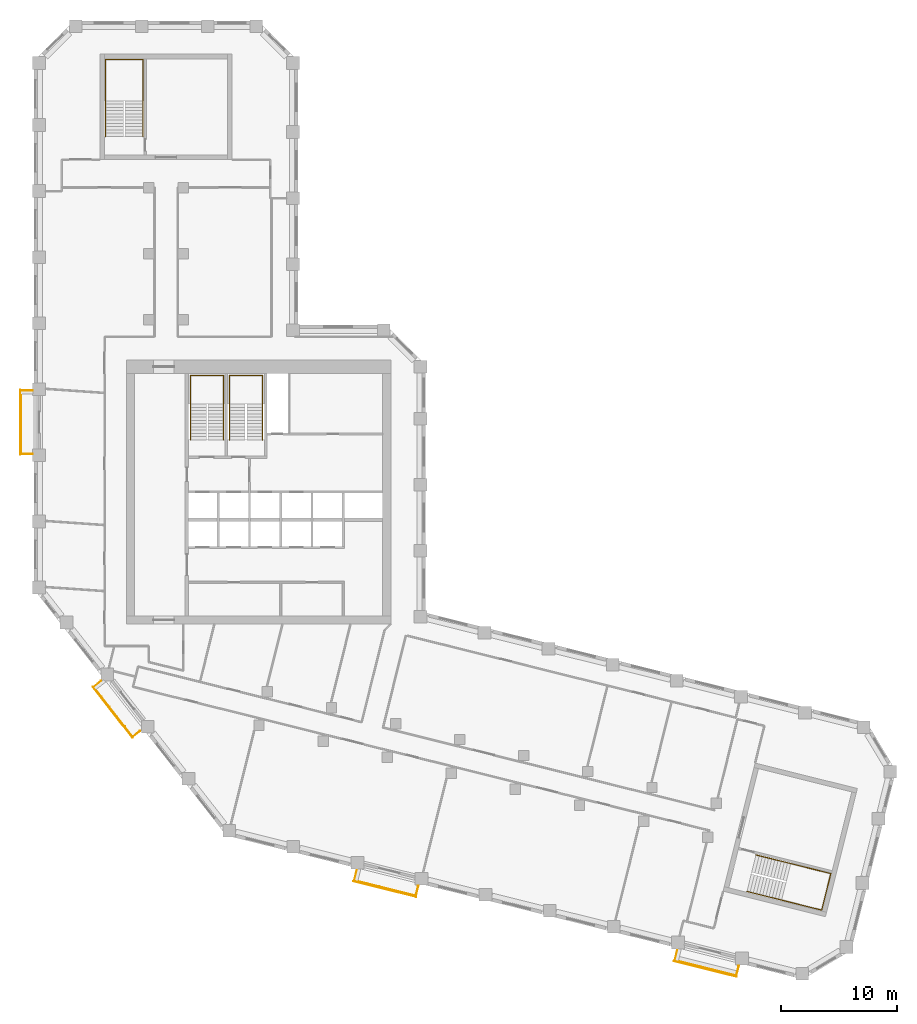
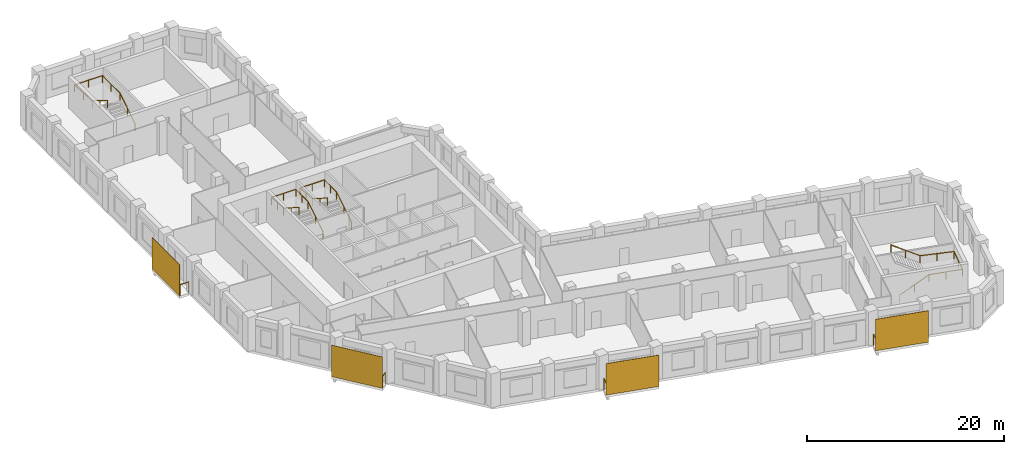
# One storey, part 10 of 10: 8 railings, 4 shading devices.
"""IFC4 building model written with IfcOpenShell, lengths in metres."""

import ifcopenshell
import ifcopenshell.guid

model = None  # the IFC model being written
_history = None  # IfcOwnerHistory: only IFC2X3 demands one
_inside = {}  # id of a spatial element -> (the spatial element, [elements in it])
_under = {}  # id of a project, library or spatial element -> (it, [spatial elements below it])
_declared = {}  # id of a project -> (the project, [libraries it declares])
_typed = {}  # id of a type object -> (the type object, [elements of that type])
_made_of = {}  # id of a material, layer set ... -> (it, [elements and type objects made of it])


def new_model(schema):
    """Start an empty IFC model of exactly this schema.

    Asked for "IFC4X3", IfcOpenShell would pick the latest addendum, in which some entities
    have other attributes; the version numbers below select the first issue.
    IFC2X3 requires an IfcOwnerHistory on every rooted entity: one is made here for all.
    """
    global model, _history
    if schema == "IFC4X3":
        model = ifcopenshell.file(schema_version=(4, 3, 0, 0))
    else:
        model = ifcopenshell.file(schema=schema)
    _inside.clear()
    _under.clear()
    _declared.clear()
    _typed.clear()
    _made_of.clear()
    _history = None
    if model.schema == "IFC2X3":
        org = make("IfcOrganization", Name="unknown")
        user = make(
            "IfcPersonAndOrganization",
            ThePerson=make("IfcPerson", FamilyName="unknown"),
            TheOrganization=org,
        )
        app = make(
            "IfcApplication",
            ApplicationDeveloper=org,
            Version="unknown",
            ApplicationFullName="unknown",
            ApplicationIdentifier="unknown",
        )
        _history = make(
            "IfcOwnerHistory",
            OwningUser=user,
            OwningApplication=app,
            ChangeAction="ADDED",
            CreationDate=0,
        )
    return model


def make(cls, **values):
    """One entity of the class cls with the attributes given. An attribute that is None is left unset."""
    return model.create_entity(
        cls, **{name: value for name, value in values.items() if value is not None}
    )


def rooted(cls, **values):
    """An entity with a GlobalId (a new one), such as an element, a storey or a relation."""
    return make(cls, GlobalId=ifcopenshell.guid.new(), OwnerHistory=_history, **values)


def si_unit(unit_type, name, prefix=None):
    """IfcSIUnit, for example si_unit("LENGTHUNIT", "METRE", prefix="MILLI")."""
    return make("IfcSIUnit", UnitType=unit_type, Prefix=prefix, Name=name)


def assignment(units):
    """IfcUnitAssignment: the units of a project."""
    return None if units is None else make("IfcUnitAssignment", Units=units)


def point(xyz):
    """IfcCartesianPoint."""
    return None if xyz is None else make("IfcCartesianPoint", Coordinates=xyz)


def direction(xyz):
    """IfcDirection."""
    return None if xyz is None else make("IfcDirection", DirectionRatios=xyz)


def frame(location, z_axis=None, x_axis=None):
    """IfcAxis2Placement3D, a coordinate frame: its origin and axes. An axis left out is left unset."""
    return make(
        "IfcAxis2Placement3D",
        Location=point(location),
        Axis=direction(z_axis),
        RefDirection=direction(x_axis),
    )


def frame_2d(location, x_axis=None):
    """IfcAxis2Placement2D, a coordinate frame in the plane: its origin and x axis."""
    return make(
        "IfcAxis2Placement2D", Location=point(location), RefDirection=direction(x_axis)
    )


def origin():
    """The frame at (0, 0, 0) with its axes left unset."""
    return frame((0.0, 0.0, 0.0))


def origin_2d():
    """The frame at (0, 0) in the plane with its x axis left unset."""
    return frame_2d((0.0, 0.0))


def place(relative_to, where):
    """IfcLocalPlacement: puts the frame where relative to a parent placement (None: the world)."""
    return make(
        "IfcLocalPlacement", PlacementRelTo=relative_to, RelativePlacement=where
    )


def context(
    kind, dimensions, precision=None, world=None, true_north=None, identifier=None
):
    """IfcGeometricRepresentationContext, for example the 3D "Model" context."""
    return make(
        "IfcGeometricRepresentationContext",
        ContextIdentifier=identifier,
        ContextType=kind,
        CoordinateSpaceDimension=dimensions,
        Precision=precision,
        WorldCoordinateSystem=world,
        TrueNorth=true_north,
    )


def subcontext(parent, identifier, kind, view, scale=None):
    """IfcGeometricRepresentationSubContext, for example "Body" below "Model"."""
    return make(
        "IfcGeometricRepresentationSubContext",
        ContextIdentifier=identifier,
        ContextType=kind,
        ParentContext=parent,
        TargetScale=scale,
        TargetView=view,
    )


def project(units=None, contexts=None):
    """IfcProject with its units and contexts."""
    return rooted(
        "IfcProject",
        Name="project",
        RepresentationContexts=contexts,
        UnitsInContext=assignment(units),
    )


def spatial(cls, under=None, at=None, **own):
    """A site, building, storey or space (cls), placed at a placement, below another one or the project."""
    s = rooted(cls, ObjectPlacement=at, **own)
    if under is not None:
        _under.setdefault(under.id(), (under, []))[1].append(s)
    return s


def profile(cls, at=None, kind="AREA", **sizes):
    """A parametric profile (cls). Its sizes go by their IFC names, for example OverallWidth=200.0."""
    return make(cls, ProfileType=kind, Position=at, **sizes)


def rectangle(**sizes):
    """IfcRectangleProfileDef."""
    return profile("IfcRectangleProfileDef", **sizes)


def circle(**sizes):
    """IfcCircleProfileDef."""
    return profile("IfcCircleProfileDef", **sizes)


def extrude(swept, where, along, depth):
    """IfcExtrudedAreaSolid: the profile swept, set in the frame where, extruded along a direction by depth."""
    return make(
        "IfcExtrudedAreaSolid",
        SweptArea=swept,
        Position=where,
        ExtrudedDirection=direction(along),
        Depth=depth,
    )


def shape(context_of_items, identifier, shape_type, items):
    """IfcShapeRepresentation: the items that make up one representation, for example the "Body"."""
    return make(
        "IfcShapeRepresentation",
        ContextOfItems=context_of_items,
        RepresentationIdentifier=identifier,
        RepresentationType=shape_type,
        Items=items,
    )


def material(Name=None, Category=None):
    """IfcMaterial."""
    return make("IfcMaterial", Name=Name, Category=Category)


def layer(
    of_material, thickness, ventilated=None, Name=None, Category=None, Priority=None
):
    """IfcMaterialLayer: one layer of a wall or slab, of a material (None: an air gap)."""
    return make(
        "IfcMaterialLayer",
        Material=of_material,
        LayerThickness=thickness,
        IsVentilated=ventilated,
        Name=Name,
        Category=Category,
        Priority=Priority,
    )


def layer_set(layers, Name=None):
    """IfcMaterialLayerSet."""
    return make("IfcMaterialLayerSet", MaterialLayers=layers, LayerSetName=Name)


def made_of(thing, what):
    """Note that an element or type object is made of a material, layer set ...; save() writes the relation."""
    if what is not None:
        _made_of.setdefault(what.id(), (what, []))[1].append(thing)
    return thing


def type_object(cls, material=None, **own):
    """A type object (cls), such as IfcWallType, which elements share."""
    return made_of(rooted(cls, **own), material)


def element(
    cls,
    number,
    at=None,
    inside=None,
    cuts=None,
    type_object=None,
    material=None,
    context=None,
    identifier="Body",
    shape_type=None,
    held_by="IfcProductDefinitionShape",
    body=None,
    shapes=None,
    **own,
):
    """One element of the class cls, such as IfcWall. Its Tag is "e" and its number.

    at: its placement. inside: the storey or other place that contains it. cuts: it is an
    opening in that element (IfcRelVoidsElement). A single representation is given by context,
    identifier, shape_type and body (its items); several are given by shapes. held_by: the class
    of the entity that holds the representations. save() writes the other relations.
    """
    e = rooted(cls, Tag="e%d" % number, ObjectPlacement=at, **own)
    if body is not None:
        shapes = [shape(context, identifier, shape_type, body)]
    if shapes is not None:
        e.Representation = make(held_by, Representations=shapes)
    if inside is not None:
        _inside.setdefault(inside.id(), (inside, []))[1].append(e)
    if cuts is not None:
        rooted(
            "IfcRelVoidsElement", RelatingBuildingElement=cuts, RelatedOpeningElement=e
        )
    if type_object is not None:
        _typed.setdefault(type_object.id(), (type_object, []))[1].append(e)
    return made_of(e, material)


def aggregate(whole, parts):
    """IfcRelAggregates: a whole, such as a stair, and the parts it consists of."""
    return rooted("IfcRelAggregates", RelatingObject=whole, RelatedObjects=parts)


def save(model, path):
    """Write the relations noted so far, then the file.

    IfcRelAggregates (storeys below a building ...), IfcRelContainedInSpatialStructure (elements
    in a storey), IfcRelDefinesByType, IfcRelAssociatesMaterial and IfcRelDeclares: one each for
    every whole, place, type object, material and project.
    """
    for whole, parts in _under.values():
        aggregate(whole, parts)
    for where, things in _inside.values():
        rooted(
            "IfcRelContainedInSpatialStructure",
            RelatedElements=things,
            RelatingStructure=where,
        )
    for kind, things in _typed.values():
        rooted("IfcRelDefinesByType", RelatedObjects=things, RelatingType=kind)
    for what, things in _made_of.values():
        rooted("IfcRelAssociatesMaterial", RelatedObjects=things, RelatingMaterial=what)
    for by, libraries in _declared.values():
        rooted("IfcRelDeclares", RelatingContext=by, RelatedDefinitions=libraries)
    model.write(path)


model = new_model("IFC4")

# Units and contexts
model_context = context("Model", 3, precision=1e-05, world=origin(), true_north=direction((0.0, 1.0)))
body_context = subcontext(model_context, "Body", "Model", "MODEL_VIEW")
ifc_project = project(units=[si_unit("LENGTHUNIT", "METRE"), si_unit("AREAUNIT", "SQUARE_METRE"), si_unit("VOLUMEUNIT", "CUBIC_METRE"), si_unit("PLANEANGLEUNIT", "RADIAN"), si_unit("MASSUNIT", "GRAM", prefix="KILO")], contexts=[model_context])

# Site, building, storey
site_placement = place(None, origin())
site = spatial("IfcSite", under=ifc_project, at=site_placement, CompositionType="ELEMENT")
building_placement = place(site_placement, origin())
building = spatial("IfcBuilding", under=site, at=building_placement, Name="Meshkara Civic Tower", CompositionType="ELEMENT")
storey_placement = place(building_placement, frame((0.0, 0.0, 271.800048828125)))
storey = spatial("IfcBuildingStorey", under=building, at=storey_placement, Name="L62", CompositionType="ELEMENT", Elevation=271.800048828125)

# Railings
ifc_material_1 = material(Name="Steel S355", Category="steel")
railing_type_1 = type_object("IfcRailingType", Name="BALUSTRADE GUARD 1400", PredefinedType="BALUSTRADE", material=ifc_material_1)
railing_1_placement = place(storey_placement, frame((-0.10009765625, 34.235107421875, 0.0)))
element("IfcRailing", 1, at=railing_1_placement, inside=storey, type_object=railing_type_1, Name="Balcony guard", PredefinedType="BALUSTRADE", context=body_context, shape_type="SweptSolid", body=[
    extrude(circle(Radius=0.02392578125, at=origin_2d()), frame((0.0, 0.0, 1.3759765625), z_axis=(-1.0, 0.0, 0.0), x_axis=(0.0, -1.0, 0.0)), (0.0, 0.0, 1.0), 1.010009765625),
    extrude(circle(Radius=0.02392578125, at=origin_2d()), frame((-1.010009765625, 0.0, 1.3759765625), z_axis=(0.0, -1.0, 0.0), x_axis=(1.0, 0.0, 0.0)), (0.0, 0.0, 1.0), 5.460205078125),
    extrude(circle(Radius=0.02392578125, at=origin_2d()), frame((-1.010009765625, -5.460205078125, 1.3759765625), z_axis=(1.0, 0.0, 0.0), x_axis=(0.0, 1.0, 0.0)), (0.0, 0.0, 1.0), 1.010009765625),
    extrude(circle(Radius=0.02099609375, at=origin_2d()), origin(), (0.0, 0.0, 1.0), 1.351806640625),
    extrude(circle(Radius=0.02099609375, at=origin_2d()), frame((-1.010009765625, 0.0, 0.0)), (0.0, 0.0, 1.0), 1.351806640625),
    extrude(circle(Radius=0.02099609375, at=origin_2d()), frame((-1.010009765625, -1.092041015625, 0.0)), (0.0, 0.0, 1.0), 1.351806640625),
    extrude(circle(Radius=0.02099609375, at=origin_2d()), frame((-1.010009765625, -2.18408203125, 0.0)), (0.0, 0.0, 1.0), 1.351806640625),
    extrude(circle(Radius=0.02099609375, at=origin_2d()), frame((-1.010009765625, -3.276123046875, 0.0)), (0.0, 0.0, 1.0), 1.351806640625),
    extrude(circle(Radius=0.02099609375, at=origin_2d()), frame((-1.010009765625, -4.3681640625, 0.0)), (0.0, 0.0, 1.0), 1.351806640625),
    extrude(circle(Radius=0.02099609375, at=origin_2d()), frame((-1.010009765625, -5.460205078125, 0.0)), (0.0, 0.0, 1.0), 1.351806640625),
    extrude(circle(Radius=0.02099609375, at=origin_2d()), frame((0.0, -5.460205078125, 0.0)), (0.0, 0.0, 1.0), 1.351806640625),
])
railing_2_placement = place(storey_placement, frame((5.7890625, 9.1669921875, 0.0)))
element("IfcRailing", 2, at=railing_2_placement, inside=storey, type_object=railing_type_1, Name="Balcony guard", PredefinedType="BALUSTRADE", context=body_context, shape_type="SweptSolid", body=[
    extrude(circle(Radius=0.02392578125, at=origin_2d()), frame((0.0, 0.0, 1.3759765625), z_axis=(-0.788099513408, -0.615547851078, 0.0), x_axis=(0.615547851078, -0.788099513408, 0.0)), (0.0, 0.0, 1.0), 0.7880859375),
    extrude(circle(Radius=0.02392578125, at=origin_2d()), frame((-0.62109375, -0.485107421875, 1.3759765625), z_axis=(0.615684818606, -0.787992515281, 0.0), x_axis=(0.787992515281, 0.615684818606, 0.0)), (0.0, 0.0, 1.0), 5.460693359375),
    extrude(circle(Radius=0.02392578125, at=origin_2d()), frame((2.740966796875, -4.7880859375, 1.3759765625), z_axis=(0.787982092171, 0.615698158531, 0.0), x_axis=(-0.615698158531, 0.787982092171, 0.0)), (0.0, 0.0, 1.0), 0.787841796875),
    extrude(circle(Radius=0.02099609375, at=origin_2d()), origin(), (0.0, 0.0, 1.0), 1.351806640625),
    extrude(circle(Radius=0.02099609375, at=origin_2d()), frame((-0.62109375, -0.485107421875, 0.0)), (0.0, 0.0, 1.0), 1.351806640625),
    extrude(circle(Radius=0.02099609375, at=origin_2d()), frame((0.05126953125, -1.345703125, 0.0)), (0.0, 0.0, 1.0), 1.351806640625),
    extrude(circle(Radius=0.02099609375, at=origin_2d()), frame((0.7236328125, -2.206298828125, 0.0)), (0.0, 0.0, 1.0), 1.351806640625),
    extrude(circle(Radius=0.02099609375, at=origin_2d()), frame((1.396240234375, -3.06689453125, 0.0)), (0.0, 0.0, 1.0), 1.351806640625),
    extrude(circle(Radius=0.02099609375, at=origin_2d()), frame((2.068603515625, -3.927490234375, 0.0)), (0.0, 0.0, 1.0), 1.351806640625),
    extrude(circle(Radius=0.02099609375, at=origin_2d()), frame((2.740966796875, -4.7880859375, 0.0)), (0.0, 0.0, 1.0), 1.351806640625),
    extrude(circle(Radius=0.02099609375, at=origin_2d()), frame((3.36181640625, -4.302978515625, 0.0)), (0.0, 0.0, 1.0), 1.351806640625),
])
for number, where, name in (
    (3, (27.866943359375, -7.1708984375, 0.0), "Balcony guard"),
    (4, (55.52099609375, -14.06591796875, 0.0), "Balcony guard"),
):
    element("IfcRailing", number, at=place(storey_placement, frame(where)), inside=storey, type_object=railing_type_1, Name=name, PredefinedType="BALUSTRADE", context=body_context, shape_type="SweptSolid", body=[
        extrude(circle(Radius=0.02392578125, at=origin_2d()), frame((0.0, 0.0, 1.3759765625), z_axis=(-0.241764216879, -0.970335026389, 0.0), x_axis=(0.970335026389, -0.241764216879, 0.0)), (0.0, 0.0, 1.0), 0.893798828125),
        extrude(circle(Radius=0.02392578125, at=origin_2d()), frame((-0.216064453125, -0.8671875, 1.3759765625), z_axis=(0.970302726319, -0.241893818229, 0.0), x_axis=(0.241893818229, 0.970302726319, 0.0)), (0.0, 0.0, 1.0), 5.460205078125),
        extrude(circle(Radius=0.02392578125, at=origin_2d()), frame((5.08203125, -2.18798828125, 1.3759765625), z_axis=(0.241828319243, 0.97031905269, 0.0), x_axis=(-0.97031905269, 0.241828319243, 0.0)), (0.0, 0.0, 1.0), 0.8935546875),
        extrude(circle(Radius=0.02099609375, at=origin_2d()), origin(), (0.0, 0.0, 1.0), 1.351806640625),
        extrude(circle(Radius=0.02099609375, at=origin_2d()), frame((-0.216064453125, -0.8671875, 0.0)), (0.0, 0.0, 1.0), 1.351806640625),
        extrude(circle(Radius=0.02099609375, at=origin_2d()), frame((0.843505859375, -1.13134765625, 0.0)), (0.0, 0.0, 1.0), 1.351806640625),
        extrude(circle(Radius=0.02099609375, at=origin_2d()), frame((1.903076171875, -1.3955078125, 0.0)), (0.0, 0.0, 1.0), 1.351806640625),
        extrude(circle(Radius=0.02099609375, at=origin_2d()), frame((2.962890625, -1.65966796875, 0.0)), (0.0, 0.0, 1.0), 1.351806640625),
        extrude(circle(Radius=0.02099609375, at=origin_2d()), frame((4.0224609375, -1.923828125, 0.0)), (0.0, 0.0, 1.0), 1.351806640625),
        extrude(circle(Radius=0.02099609375, at=origin_2d()), frame((5.08203125, -2.18798828125, 0.0)), (0.0, 0.0, 1.0), 1.351806640625),
        extrude(circle(Radius=0.02099609375, at=origin_2d()), frame((5.298095703125, -1.321044921875, 0.0)), (0.0, 0.0, 1.0), 1.351806640625),
    ])

# Shading devices
ifc_material_2 = material(Name="Perforated bronze anodised aluminium sheet", Category="aluminium")
ifc_layer = layer(ifc_material_2, 0.0400390625)
ifc_layer_set = layer_set([ifc_layer], Name="PERFORATED BRONZE SCREEN")
shading_device_type = type_object("IfcShadingDeviceType", Name="PERFORATED BRONZE SCREEN", PredefinedType="USERDEFINED", material=ifc_layer_set)
shading_device_1_placement = place(storey_placement, frame((-1.179931640625, 31.5048828125, 0.0), z_axis=(0.0, 0.0, 1.0), x_axis=(0.0, -1.0, 0.0)))
element("IfcShadingDevice", 5, at=shading_device_1_placement, inside=storey, type_object=shading_device_type, Name="Balcony screen", ObjectType="SCREEN", PredefinedType="USERDEFINED", context=body_context, shape_type="SweptSolid", body=[
    extrude(rectangle(XDim=5.580078125, YDim=0.0400390625, at=origin_2d()), origin(), (0.0, 0.0, 1.0), 3.89990234375),
])
shading_device_2_placement = place(storey_placement, frame((6.7939453125, 6.488037109375, 0.0), z_axis=(0.0, 0.0, 1.0), x_axis=(0.615661475326, -0.788010753607, 0.0)))
element("IfcShadingDevice", 6, at=shading_device_2_placement, inside=storey, type_object=shading_device_type, Name="Balcony screen", ObjectType="SCREEN", PredefinedType="USERDEFINED", context=body_context, shape_type="SweptSolid", body=[
    extrude(rectangle(XDim=5.5810546875, YDim=0.0400390625, at=origin_2d()), origin(), (0.0, 0.0, 1.0), 3.89990234375),
])
for number, where, z_axis, x_axis, name in (
    (7, (30.282958984375, -8.76708984375, 0.0), (0.0, 0.0, 1.0), (0.970299948462, -0.241904960708, 0.0), "Balcony screen"),
    (8, (57.93701171875, -15.660888671875, 0.0), (0.0, 0.0, 1.0), (0.970299948462, -0.241904960708, 0.0), "Balcony screen"),
):
    element("IfcShadingDevice", number, at=place(storey_placement, frame(where, z_axis=z_axis, x_axis=x_axis)), inside=storey, type_object=shading_device_type, Name=name, ObjectType="SCREEN", PredefinedType="USERDEFINED", context=body_context, shape_type="SweptSolid", body=[
        extrude(rectangle(XDim=5.580078125, YDim=0.0400390625, at=origin_2d()), origin(), (0.0, 0.0, 1.0), 3.89990234375),
    ])

# Railings
ifc_material_3 = material(Name="Steel handrail", Category="steel")
railing_type_2 = type_object("IfcRailingType", Name="Stair handrail 900", PredefinedType="HANDRAIL", material=ifc_material_3)
railing_3_placement = place(storey_placement, frame((16.375, 30.0, 0.175048828125)))
element("IfcRailing", 9, at=railing_3_placement, inside=storey, type_object=railing_type_2, Name="L62 ST1 stair handrail 1", PredefinedType="HANDRAIL", context=body_context, shape_type="SweptSolid", body=[
    extrude(circle(Radius=0.02392578125, at=origin_2d()), frame((0.0, 0.0, 0.8759765625), z_axis=(0.0, 0.848028513186, 0.529950602248), x_axis=(-1.0, 0.0, 0.0)), (0.0, 0.0, 1.0), 3.632080078125),
    extrude(circle(Radius=0.02392578125, at=origin_2d()), frame((0.0, 3.080078125, 2.80078125), z_axis=(0.0, 1.0, 0.0), x_axis=(-1.0, 0.0, 0.0)), (0.0, 0.0, 1.0), 2.469970703125),
    extrude(circle(Radius=0.02392578125, at=origin_2d()), frame((0.0, 5.550048828125, 2.80078125), z_axis=(-1.0, 0.0, 0.0), x_axis=(0.0, -1.0, 0.0)), (0.0, 0.0, 1.0), 2.85009765625),
    extrude(circle(Radius=0.02392578125, at=origin_2d()), frame((-2.85009765625, 5.550048828125, 2.80078125), z_axis=(0.0, -0.997498084828, 0.070693498747), x_axis=(1.0, 0.0, 0.0)), (0.0, 0.0, 1.0), 2.47607421875),
    extrude(circle(Radius=0.02392578125, at=origin_2d()), frame((-2.85009765625, 3.080078125, 2.9755859375), z_axis=(0.0, -0.847998304005, 0.529998940003), x_axis=(1.0, 0.0, 0.0)), (0.0, 0.0, 1.0), 3.632080078125),
    extrude(circle(Radius=0.02099609375, at=origin_2d()), origin(), (0.0, 0.0, 1.0), 0.851806640625),
    extrude(circle(Radius=0.02099609375, at=origin_2d()), frame((0.0, 1.5400390625, 0.96240234375)), (0.0, 0.0, 1.0), 0.851806640625),
    extrude(circle(Radius=0.02099609375, at=origin_2d()), frame((0.0, 3.080078125, 1.9248046875)), (0.0, 0.0, 1.0), 0.851806640625),
    extrude(circle(Radius=0.02099609375, at=origin_2d()), frame((0.0, 4.31494140625, 1.9248046875)), (0.0, 0.0, 1.0), 0.851806640625),
    extrude(circle(Radius=0.02099609375, at=origin_2d()), frame((0.0, 5.550048828125, 1.9248046875)), (0.0, 0.0, 1.0), 0.851806640625),
    extrude(circle(Radius=0.02099609375, at=origin_2d()), frame((-1.425048828125, 5.550048828125, 1.9248046875)), (0.0, 0.0, 1.0), 0.851806640625),
    extrude(circle(Radius=0.02099609375, at=origin_2d()), frame((-2.85009765625, 5.550048828125, 1.9248046875)), (0.0, 0.0, 1.0), 0.851806640625),
    extrude(circle(Radius=0.02099609375, at=origin_2d()), frame((-2.85009765625, 4.31494140625, 2.01220703125)), (0.0, 0.0, 1.0), 0.851806640625),
    extrude(circle(Radius=0.02099609375, at=origin_2d()), frame((-2.85009765625, 3.080078125, 2.099853515625)), (0.0, 0.0, 1.0), 0.851806640625),
    extrude(circle(Radius=0.02099609375, at=origin_2d()), frame((-2.85009765625, 1.5400390625, 3.0625)), (0.0, 0.0, 1.0), 0.851806640625),
    extrude(circle(Radius=0.02099609375, at=origin_2d()), frame((-2.85009765625, 0.0, 4.02490234375)), (0.0, 0.0, 1.0), 0.851806640625),
])
railing_4_placement = place(storey_placement, frame((19.72509765625, 30.0, 0.175048828125)))
element("IfcRailing", 10, at=railing_4_placement, inside=storey, type_object=railing_type_2, Name="L62 ST2 stair handrail 1", PredefinedType="HANDRAIL", context=body_context, shape_type="SweptSolid", body=[
    extrude(circle(Radius=0.02392578125, at=origin_2d()), frame((0.0, 0.0, 0.8759765625), z_axis=(0.0, 0.848028513186, 0.529950602248), x_axis=(-1.0, 0.0, 0.0)), (0.0, 0.0, 1.0), 3.632080078125),
    extrude(circle(Radius=0.02392578125, at=origin_2d()), frame((0.0, 3.080078125, 2.80078125), z_axis=(0.0, 1.0, 0.0), x_axis=(-1.0, 0.0, 0.0)), (0.0, 0.0, 1.0), 2.469970703125),
    extrude(circle(Radius=0.02392578125, at=origin_2d()), frame((0.0, 5.550048828125, 2.80078125), z_axis=(-1.0, 0.0, 0.0), x_axis=(0.0, -1.0, 0.0)), (0.0, 0.0, 1.0), 2.85009765625),
    extrude(circle(Radius=0.02392578125, at=origin_2d()), frame((-2.85009765625, 5.550048828125, 2.80078125), z_axis=(0.0, -0.997498084828, 0.070693498747), x_axis=(1.0, 0.0, 0.0)), (0.0, 0.0, 1.0), 2.47607421875),
    extrude(circle(Radius=0.02392578125, at=origin_2d()), frame((-2.85009765625, 3.080078125, 2.9755859375), z_axis=(0.0, -0.847998304005, 0.529998940003), x_axis=(1.0, 0.0, 0.0)), (0.0, 0.0, 1.0), 3.632080078125),
    extrude(circle(Radius=0.02099609375, at=origin_2d()), origin(), (0.0, 0.0, 1.0), 0.851806640625),
    extrude(circle(Radius=0.02099609375, at=origin_2d()), frame((0.0, 1.5400390625, 0.96240234375)), (0.0, 0.0, 1.0), 0.851806640625),
    extrude(circle(Radius=0.02099609375, at=origin_2d()), frame((0.0, 3.080078125, 1.9248046875)), (0.0, 0.0, 1.0), 0.851806640625),
    extrude(circle(Radius=0.02099609375, at=origin_2d()), frame((0.0, 4.31494140625, 1.9248046875)), (0.0, 0.0, 1.0), 0.851806640625),
    extrude(circle(Radius=0.02099609375, at=origin_2d()), frame((0.0, 5.550048828125, 1.9248046875)), (0.0, 0.0, 1.0), 0.851806640625),
    extrude(circle(Radius=0.02099609375, at=origin_2d()), frame((-1.425048828125, 5.550048828125, 1.9248046875)), (0.0, 0.0, 1.0), 0.851806640625),
    extrude(circle(Radius=0.02099609375, at=origin_2d()), frame((-2.85009765625, 5.550048828125, 1.9248046875)), (0.0, 0.0, 1.0), 0.851806640625),
    extrude(circle(Radius=0.02099609375, at=origin_2d()), frame((-2.85009765625, 4.31494140625, 2.01220703125)), (0.0, 0.0, 1.0), 0.851806640625),
    extrude(circle(Radius=0.02099609375, at=origin_2d()), frame((-2.85009765625, 3.080078125, 2.099853515625)), (0.0, 0.0, 1.0), 0.851806640625),
    extrude(circle(Radius=0.02099609375, at=origin_2d()), frame((-2.85009765625, 1.5400390625, 3.0625)), (0.0, 0.0, 1.0), 0.851806640625),
    extrude(circle(Radius=0.02099609375, at=origin_2d()), frame((-2.85009765625, 0.0, 4.02490234375)), (0.0, 0.0, 1.0), 0.851806640625),
])
railing_5_placement = place(storey_placement, frame((9.425048828125, 56.169921875, 0.175048828125)))
element("IfcRailing", 11, at=railing_5_placement, inside=storey, type_object=railing_type_2, Name="L62 ESA4 stair handrail 1", PredefinedType="HANDRAIL", context=body_context, shape_type="SweptSolid", body=[
    extrude(circle(Radius=0.02392578125, at=origin_2d()), frame((0.0, 0.0, 0.8759765625), z_axis=(0.0, 0.848028513186, 0.529950602248), x_axis=(-1.0, 0.0, 0.0)), (0.0, 0.0, 1.0), 3.632080078125),
    extrude(circle(Radius=0.02392578125, at=origin_2d()), frame((0.0, 3.080078125, 2.80078125), z_axis=(0.0, 1.0, 0.0), x_axis=(-1.0, 0.0, 0.0)), (0.0, 0.0, 1.0), 3.570068359375),
    extrude(circle(Radius=0.02392578125, at=origin_2d()), frame((0.0, 6.650146484375, 2.80078125), z_axis=(-1.0, 0.0, 0.0), x_axis=(0.0, -1.0, 0.0)), (0.0, 0.0, 1.0), 3.25),
    extrude(circle(Radius=0.02392578125, at=origin_2d()), frame((-3.25, 6.650146484375, 2.80078125), z_axis=(0.0, -0.998800077689, 0.048973511297), x_axis=(1.0, 0.0, 0.0)), (0.0, 0.0, 1.0), 3.574462890625),
    extrude(circle(Radius=0.02392578125, at=origin_2d()), frame((-3.25, 3.080078125, 2.9755859375), z_axis=(0.0, -0.847998304005, 0.529998940003), x_axis=(1.0, 0.0, 0.0)), (0.0, 0.0, 1.0), 3.632080078125),
    extrude(circle(Radius=0.02099609375, at=origin_2d()), origin(), (0.0, 0.0, 1.0), 0.851806640625),
    extrude(circle(Radius=0.02099609375, at=origin_2d()), frame((0.0, 1.5400390625, 0.96240234375)), (0.0, 0.0, 1.0), 0.851806640625),
    extrude(circle(Radius=0.02099609375, at=origin_2d()), frame((0.0, 3.080078125, 1.9248046875)), (0.0, 0.0, 1.0), 0.851806640625),
    extrude(circle(Radius=0.02099609375, at=origin_2d()), frame((0.0, 4.865234375, 1.9248046875)), (0.0, 0.0, 1.0), 0.851806640625),
    extrude(circle(Radius=0.02099609375, at=origin_2d()), frame((0.0, 6.650146484375, 1.9248046875)), (0.0, 0.0, 1.0), 0.851806640625),
    extrude(circle(Radius=0.02099609375, at=origin_2d()), frame((-1.625, 6.650146484375, 1.9248046875)), (0.0, 0.0, 1.0), 0.851806640625),
    extrude(circle(Radius=0.02099609375, at=origin_2d()), frame((-3.25, 6.650146484375, 1.9248046875)), (0.0, 0.0, 1.0), 0.851806640625),
    extrude(circle(Radius=0.02099609375, at=origin_2d()), frame((-3.25, 4.865234375, 2.01220703125)), (0.0, 0.0, 1.0), 0.851806640625),
    extrude(circle(Radius=0.02099609375, at=origin_2d()), frame((-3.25, 3.080078125, 2.099853515625)), (0.0, 0.0, 1.0), 0.851806640625),
    extrude(circle(Radius=0.02099609375, at=origin_2d()), frame((-3.25, 1.5400390625, 3.0625)), (0.0, 0.0, 1.0), 0.851806640625),
    extrude(circle(Radius=0.02099609375, at=origin_2d()), frame((-3.25, 0.0, 4.02490234375)), (0.0, 0.0, 1.0), 0.851806640625),
])
railing_6_placement = place(storey_placement, frame((61.526123046875, -8.97607421875, 0.175048828125)))
element("IfcRailing", 12, at=railing_6_placement, inside=storey, type_object=railing_type_2, Name="L62 ESB4 stair handrail 1", PredefinedType="HANDRAIL", context=body_context, shape_type="SweptSolid", body=[
    extrude(circle(Radius=0.02392578125, at=origin_2d()), frame((0.0, 0.0, 0.8759765625), z_axis=(0.822800919371, -0.205229673761, 0.529980592183), x_axis=(0.242013336109, 0.97027292302, 0.0)), (0.0, 0.0, 1.0), 3.6318359375),
    extrude(circle(Radius=0.02392578125, at=origin_2d()), frame((2.98828125, -0.745361328125, 2.80078125), z_axis=(0.97025503065, -0.242085058395, 0.0), x_axis=(0.242085058395, 0.97025503065, 0.0)), (0.0, 0.0, 1.0), 3.570068359375),
    extrude(circle(Radius=0.02392578125, at=origin_2d()), frame((6.4521484375, -1.609619140625, 2.80078125), z_axis=(0.242040676986, 0.970266103027, 0.0), x_axis=(-0.970266103027, 0.242040676986, 0.0)), (0.0, 0.0, 1.0), 3.25),
    extrude(circle(Radius=0.02392578125, at=origin_2d()), frame((7.23876953125, 1.543701171875, 2.80078125), z_axis=(-0.969086635977, 0.241810579499, 0.04897688856), x_axis=(-0.24210112213, -0.970251022501, 0.0)), (0.0, 0.0, 1.0), 3.57421875),
    extrude(circle(Radius=0.02392578125, at=origin_2d()), frame((3.775146484375, 2.407958984375, 2.9755859375), z_axis=(-0.822793318929, 0.205211012392, 0.529999617659), x_axis=(-0.24199472324, -0.970277565403, 0.0)), (0.0, 0.0, 1.0), 3.632080078125),
    extrude(circle(Radius=0.02099609375, at=origin_2d()), origin(), (0.0, 0.0, 1.0), 0.851806640625),
    extrude(circle(Radius=0.02099609375, at=origin_2d()), frame((1.494140625, -0.37255859375, 0.96240234375)), (0.0, 0.0, 1.0), 0.851806640625),
    extrude(circle(Radius=0.02099609375, at=origin_2d()), frame((2.98828125, -0.745361328125, 1.9248046875)), (0.0, 0.0, 1.0), 0.851806640625),
    extrude(circle(Radius=0.02099609375, at=origin_2d()), frame((4.72021484375, -1.177490234375, 1.9248046875)), (0.0, 0.0, 1.0), 0.851806640625),
    extrude(circle(Radius=0.02099609375, at=origin_2d()), frame((6.4521484375, -1.609619140625, 1.9248046875)), (0.0, 0.0, 1.0), 0.851806640625),
    extrude(circle(Radius=0.02099609375, at=origin_2d()), frame((6.845458984375, -0.032958984375, 1.9248046875)), (0.0, 0.0, 1.0), 0.851806640625),
    extrude(circle(Radius=0.02099609375, at=origin_2d()), frame((7.23876953125, 1.543701171875, 1.9248046875)), (0.0, 0.0, 1.0), 0.851806640625),
    extrude(circle(Radius=0.02099609375, at=origin_2d()), frame((5.5068359375, 1.975830078125, 2.01220703125)), (0.0, 0.0, 1.0), 0.851806640625),
    extrude(circle(Radius=0.02099609375, at=origin_2d()), frame((3.775146484375, 2.407958984375, 2.099853515625)), (0.0, 0.0, 1.0), 0.851806640625),
    extrude(circle(Radius=0.02099609375, at=origin_2d()), frame((2.28076171875, 2.78076171875, 3.0625)), (0.0, 0.0, 1.0), 0.851806640625),
    extrude(circle(Radius=0.02099609375, at=origin_2d()), frame((0.78662109375, 3.1533203125, 4.02490234375)), (0.0, 0.0, 1.0), 0.851806640625),
])

save(model, "model.ifc")
